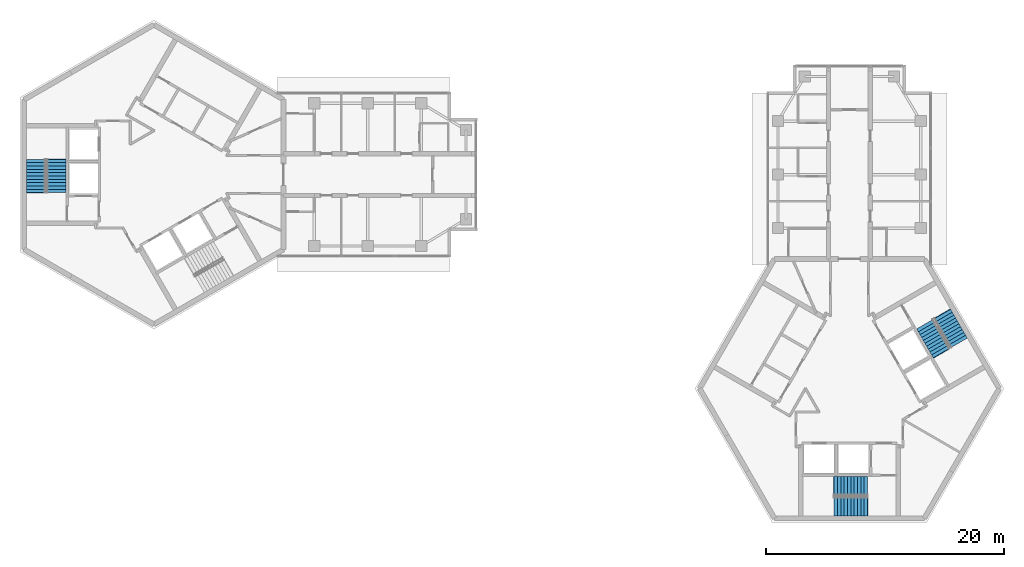
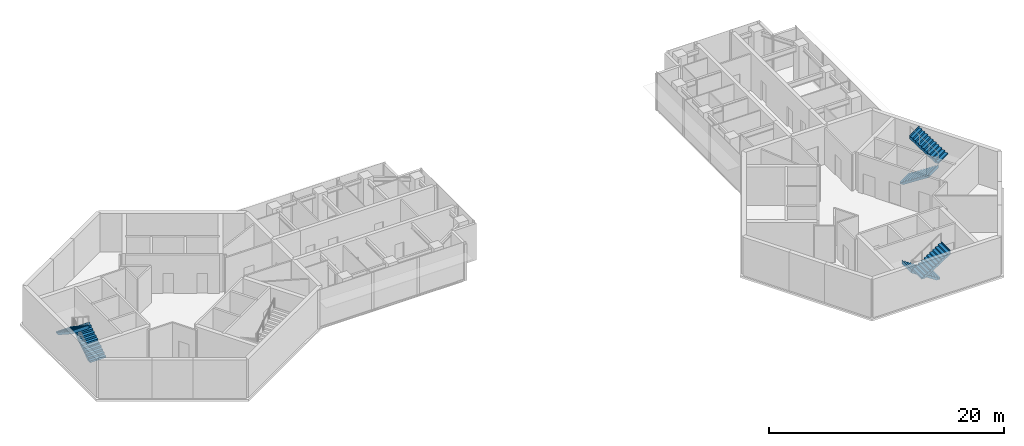
# One storey, part 10 of 11: 6 stair flights, 3 elements without a shape of their own.
"""IFC4 building model written with IfcOpenShell, lengths in metres."""

from ifc_helpers import new_model, si_unit, direction, frame, origin, place, context, subcontext, project, spatial, polyline, outline, extrude, material, type_object, element, aggregate, save


model = new_model("IFC4")

# Units and contexts
model_context = context("Model", 3, precision=1e-05, world=origin(), true_north=direction((0.0, 1.0)))
body_context = subcontext(model_context, "Body", "Model", "MODEL_VIEW")
ifc_project = project(units=[si_unit("LENGTHUNIT", "METRE"), si_unit("AREAUNIT", "SQUARE_METRE"), si_unit("VOLUMEUNIT", "CUBIC_METRE"), si_unit("PLANEANGLEUNIT", "RADIAN"), si_unit("MASSUNIT", "GRAM", prefix="KILO")], contexts=[model_context])

# Site, building, storey
site_placement = place(None, origin())
site = spatial("IfcSite", under=ifc_project, at=site_placement, CompositionType="ELEMENT")
building_placement = place(site_placement, origin())
building = spatial("IfcBuilding", under=site, at=building_placement, Name="Upepo Twin Towers", CompositionType="ELEMENT")
storey_placement = place(building_placement, frame((0.0, 0.0, 271.5)))
storey = spatial("IfcBuildingStorey", under=building, at=storey_placement, Name="L66", CompositionType="ELEMENT", Elevation=271.5)

# Stair, stair flights
ifc_material_1 = material(Name="Concrete C40/50", Category="concrete")
stair_type = type_object("IfcStairType", Name="Core stair, two flights", PredefinedType="HALF_TURN_STAIR", material=ifc_material_1)
stair_1_placement = place(storey_placement, origin())
stair_1 = element("IfcStair", 1, at=stair_1_placement, inside=storey, type_object=stair_type, Name="T1 stair S1 L66", PredefinedType="HALF_TURN_STAIR")
ifc_material_2 = material(Name="Concrete C40/50", Category="concrete")
stair_flight_type = type_object("IfcStairFlightType", Name="Stair flight 1600 RC", PredefinedType="STRAIGHT", material=ifc_material_2)
stair_flight_1_placement = place(storey_placement, frame((-8.199951171875, -1.52001953125, 0.0), z_axis=(0.0, 0.0, 1.0), x_axis=(0.0, 1.0, 0.0)))
stair_flight_1 = element("IfcStairFlight", 2, at=stair_flight_1_placement, type_object=stair_flight_type, Name="Stair S1 flight 1", NumberOfRisers=11, NumberOfTreads=10, PredefinedType="STRAIGHT", RiserHeight=0.181818182, TreadLength=0.28, context=body_context, shape_type="SweptSolid", body=[
    extrude(outline(polyline([(0.0, 0.0), (0.0, 0.181884765625), (0.280029296875, 0.181884765625), (0.280029296875, 0.363525390625), (0.56005859375, 0.363525390625), (0.56005859375, 0.54541015625), (0.840087890625, 0.54541015625), (0.840087890625, 0.727294921875), (1.1201171875, 0.727294921875), (1.1201171875, 0.9091796875), (1.39990234375, 0.9091796875), (1.39990234375, 1.0908203125), (1.679931640625, 1.0908203125), (1.679931640625, 1.272705078125), (1.9599609375, 1.272705078125), (1.9599609375, 1.45458984375), (2.239990234375, 1.45458984375), (2.239990234375, 1.636474609375), (2.52001953125, 1.636474609375), (2.52001953125, 1.818115234375), (2.800048828125, 1.818115234375), (2.800048828125, 2.0), (2.85009765625, 2.0), (2.85009765625, 1.639404296875), (0.3251953125, 0.0), (0.0, 0.0)])), frame((0.0, 0.800048828125, 0.0), z_axis=(0.0, -1.0, 0.0), x_axis=(1.0, 0.0, 0.0)), (0.0, 0.0, 1.0), 1.60009765625),
])
stair_flight_2_placement = place(storey_placement, frame((-9.908447265625, 1.280029296875, 2.0), z_axis=(0.0, 0.0, 1.0), x_axis=(0.0, -1.0, 0.0)))
stair_flight_2 = element("IfcStairFlight", 3, at=stair_flight_2_placement, type_object=stair_flight_type, Name="Stair S1 flight 2", NumberOfRisers=11, NumberOfTreads=10, PredefinedType="STRAIGHT", RiserHeight=0.181818182, TreadLength=0.28, context=body_context, shape_type="SweptSolid", body=[
    extrude(outline(polyline([(0.0, 0.0), (0.0, 0.181884765625), (0.280029296875, 0.181884765625), (0.280029296875, 0.363525390625), (0.56005859375, 0.363525390625), (0.56005859375, 0.54541015625), (0.840087890625, 0.54541015625), (0.840087890625, 0.727294921875), (1.1201171875, 0.727294921875), (1.1201171875, 0.9091796875), (1.39990234375, 0.9091796875), (1.39990234375, 1.0908203125), (1.679931640625, 1.0908203125), (1.679931640625, 1.272705078125), (1.9599609375, 1.272705078125), (1.9599609375, 1.45458984375), (2.239990234375, 1.45458984375), (2.239990234375, 1.636474609375), (2.52001953125, 1.636474609375), (2.52001953125, 1.818115234375), (2.800048828125, 1.818115234375), (2.800048828125, 2.0), (2.85009765625, 2.0), (2.85009765625, 1.639404296875), (0.3251953125, 0.0), (0.0, 0.0)])), frame((0.0, 0.800048828125, 0.0), z_axis=(0.0, -1.0, 0.0), x_axis=(1.0, 0.0, 0.0)), (0.0, 0.0, 1.0), 1.60009765625),
])
aggregate(stair_1, [stair_flight_1, stair_flight_2])

stair_2_placement = place(storey_placement, origin())
stair_2 = element("IfcStair", 4, at=stair_2_placement, inside=storey, type_object=stair_type, Name="T2 stair S1 L66", PredefinedType="HALF_TURN_STAIR")
stair_flight_3_placement = place(storey_placement, frame((60.02001953125, -26.199951171875, 0.0), z_axis=(0.0, 0.0, 1.0), x_axis=(-1.0, 0.0, 0.0)))
stair_flight_3 = element("IfcStairFlight", 5, at=stair_flight_3_placement, type_object=stair_flight_type, Name="Stair S1 flight 1", NumberOfRisers=11, NumberOfTreads=10, PredefinedType="STRAIGHT", RiserHeight=0.181818182, TreadLength=0.28, context=body_context, shape_type="SweptSolid", body=[
    extrude(outline(polyline([(0.0, 0.0), (0.0, 0.181884765625), (0.280029296875, 0.181884765625), (0.280029296875, 0.363525390625), (0.56005859375, 0.363525390625), (0.56005859375, 0.54541015625), (0.840087890625, 0.54541015625), (0.840087890625, 0.727294921875), (1.1201171875, 0.727294921875), (1.1201171875, 0.9091796875), (1.39990234375, 0.9091796875), (1.39990234375, 1.0908203125), (1.679931640625, 1.0908203125), (1.679931640625, 1.272705078125), (1.9599609375, 1.272705078125), (1.9599609375, 1.45458984375), (2.239990234375, 1.45458984375), (2.239990234375, 1.636474609375), (2.52001953125, 1.636474609375), (2.52001953125, 1.818115234375), (2.800048828125, 1.818115234375), (2.800048828125, 2.0), (2.85009765625, 2.0), (2.85009765625, 1.639404296875), (0.3251953125, 0.0), (0.0, 0.0)])), frame((0.0, 0.800048828125, 0.0), z_axis=(0.0, -1.0, 0.0), x_axis=(1.0, 0.0, 0.0)), (0.0, 0.0, 1.0), 1.60009765625),
])
stair_flight_4_placement = place(storey_placement, frame((57.219970703125, -27.908447265625, 2.0), z_axis=(0.0, 0.0, 1.0), x_axis=(1.0, 0.0, 0.0)))
stair_flight_4 = element("IfcStairFlight", 6, at=stair_flight_4_placement, type_object=stair_flight_type, Name="Stair S1 flight 2", NumberOfRisers=11, NumberOfTreads=10, PredefinedType="STRAIGHT", RiserHeight=0.181818182, TreadLength=0.28, context=body_context, shape_type="SweptSolid", body=[
    extrude(outline(polyline([(0.0, 0.0), (0.0, 0.181884765625), (0.280029296875, 0.181884765625), (0.280029296875, 0.363525390625), (0.56005859375, 0.363525390625), (0.56005859375, 0.54541015625), (0.840087890625, 0.54541015625), (0.840087890625, 0.727294921875), (1.1201171875, 0.727294921875), (1.1201171875, 0.9091796875), (1.39990234375, 0.9091796875), (1.39990234375, 1.0908203125), (1.679931640625, 1.0908203125), (1.679931640625, 1.272705078125), (1.9599609375, 1.272705078125), (1.9599609375, 1.45458984375), (2.239990234375, 1.45458984375), (2.239990234375, 1.636474609375), (2.52001953125, 1.636474609375), (2.52001953125, 1.818115234375), (2.800048828125, 1.818115234375), (2.800048828125, 2.0), (2.85009765625, 2.0), (2.85009765625, 1.639404296875), (0.3251953125, 0.0), (0.0, 0.0)])), frame((0.0, 0.800048828125, 0.0), z_axis=(0.0, -1.0, 0.0), x_axis=(1.0, 0.0, 0.0)), (0.0, 0.0, 1.0), 1.60009765625),
])
aggregate(stair_2, [stair_flight_3, stair_flight_4])

stair_3_placement = place(storey_placement, origin())
stair_3 = element("IfcStair", 7, at=stair_3_placement, inside=storey, type_object=stair_type, Name="T2 stair S2 L66", PredefinedType="HALF_TURN_STAIR")
stair_flight_5_placement = place(storey_placement, frame((64.84130859375, -12.583740234375, 0.0), z_axis=(0.0, 0.0, 1.0), x_axis=(0.5, -0.866025403784, 0.0)))
stair_flight_5 = element("IfcStairFlight", 8, at=stair_flight_5_placement, type_object=stair_flight_type, Name="Stair S2 flight 1", NumberOfRisers=11, NumberOfTreads=10, PredefinedType="STRAIGHT", RiserHeight=0.181818182, TreadLength=0.28, context=body_context, shape_type="SweptSolid", body=[
    extrude(outline(polyline([(0.0, 0.0), (0.0, 0.181884765625), (0.280029296875, 0.181884765625), (0.280029296875, 0.363525390625), (0.56005859375, 0.363525390625), (0.56005859375, 0.54541015625), (0.840087890625, 0.54541015625), (0.840087890625, 0.727294921875), (1.1201171875, 0.727294921875), (1.1201171875, 0.9091796875), (1.39990234375, 0.9091796875), (1.39990234375, 1.0908203125), (1.679931640625, 1.0908203125), (1.679931640625, 1.272705078125), (1.9599609375, 1.272705078125), (1.9599609375, 1.45458984375), (2.239990234375, 1.45458984375), (2.239990234375, 1.636474609375), (2.52001953125, 1.636474609375), (2.52001953125, 1.818115234375), (2.800048828125, 1.818115234375), (2.800048828125, 2.0), (2.85009765625, 2.0), (2.85009765625, 1.639404296875), (0.3251953125, 0.0), (0.0, 0.0)])), frame((0.0, 0.800048828125, 0.0), z_axis=(0.0, -1.0, 0.0), x_axis=(1.0, 0.0, 0.0)), (0.0, 0.0, 1.0), 1.60009765625),
])
stair_flight_6_placement = place(storey_placement, frame((67.720947265625, -14.154296875, 2.0), z_axis=(0.0, 0.0, 1.0), x_axis=(-0.5, 0.866025403784, 0.0)))
stair_flight_6 = element("IfcStairFlight", 9, at=stair_flight_6_placement, type_object=stair_flight_type, Name="Stair S2 flight 2", NumberOfRisers=11, NumberOfTreads=10, PredefinedType="STRAIGHT", RiserHeight=0.181818182, TreadLength=0.28, context=body_context, shape_type="SweptSolid", body=[
    extrude(outline(polyline([(0.0, 0.0), (0.0, 0.181884765625), (0.280029296875, 0.181884765625), (0.280029296875, 0.363525390625), (0.56005859375, 0.363525390625), (0.56005859375, 0.54541015625), (0.840087890625, 0.54541015625), (0.840087890625, 0.727294921875), (1.1201171875, 0.727294921875), (1.1201171875, 0.9091796875), (1.39990234375, 0.9091796875), (1.39990234375, 1.0908203125), (1.679931640625, 1.0908203125), (1.679931640625, 1.272705078125), (1.9599609375, 1.272705078125), (1.9599609375, 1.45458984375), (2.239990234375, 1.45458984375), (2.239990234375, 1.636474609375), (2.52001953125, 1.636474609375), (2.52001953125, 1.818115234375), (2.800048828125, 1.818115234375), (2.800048828125, 2.0), (2.85009765625, 2.0), (2.85009765625, 1.639404296875), (0.3251953125, 0.0), (0.0, 0.0)])), frame((0.0, 0.800048828125, 0.0), z_axis=(0.0, -1.0, 0.0), x_axis=(1.0, 0.0, 0.0)), (0.0, 0.0, 1.0), 1.60009765625),
])
aggregate(stair_3, [stair_flight_5, stair_flight_6])

save(model, "model.ifc")
